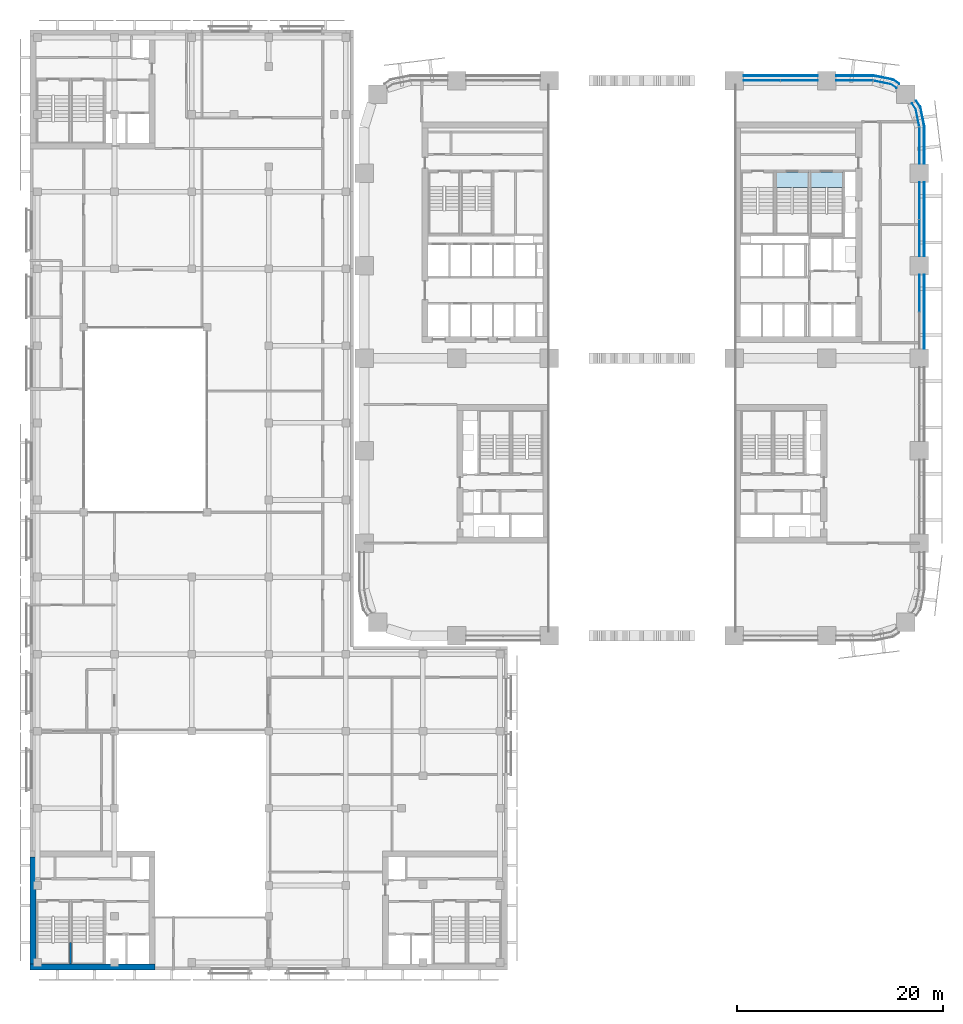
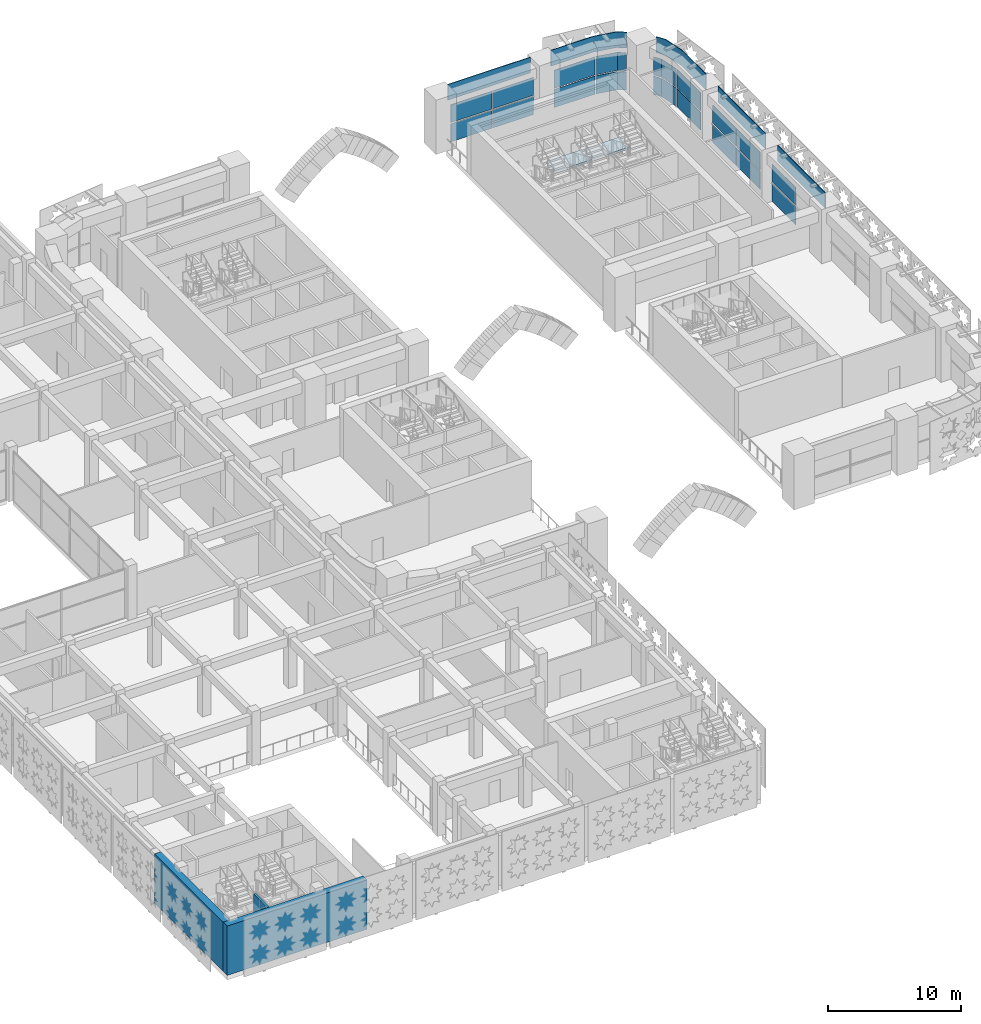
# One storey, part 13 of 40: 23 plates, 3 walls, 2 slabs, 7 elements without a shape of their own.
"""IFC4 building model written with IfcOpenShell, lengths in metres."""

from ifc_helpers import new_model, si_unit, direction, frame, frame_2d, origin, origin_2d, place, context, subcontext, project, spatial, polyline, rectangle, outline, extrude, material, layer, layer_set, type_object, element, aggregate, save


model = new_model("IFC4")

# Units and contexts
model_context = context("Model", 3, precision=1e-05, world=origin(), true_north=direction((0.0, 1.0)))
body_context = subcontext(model_context, "Body", "Model", "MODEL_VIEW")
ifc_project = project(units=[si_unit("LENGTHUNIT", "METRE"), si_unit("AREAUNIT", "SQUARE_METRE"), si_unit("VOLUMEUNIT", "CUBIC_METRE"), si_unit("PLANEANGLEUNIT", "RADIAN"), si_unit("MASSUNIT", "GRAM", prefix="KILO")], contexts=[model_context])

# Site, building, storey
site_placement = place(None, origin())
site = spatial("IfcSite", under=ifc_project, at=site_placement, CompositionType="ELEMENT")
building_placement = place(site_placement, origin())
building = spatial("IfcBuilding", under=site, at=building_placement, Name="Tessera Arch", CompositionType="ELEMENT")
storey_placement = place(building_placement, frame((0.0, 0.0, 21.0)))
storey = spatial("IfcBuildingStorey", under=building, at=storey_placement, Name="L03", CompositionType="ELEMENT", Elevation=21.0)

# Curtain wall, plates
ifc_material_1 = material(Name="CW2 curtain wall")
curtain_wall_type_1 = type_object("IfcCurtainWallType", Name="CW2 curtain wall", PredefinedType="NOTDEFINED", material=ifc_material_1)
curtain_wall_1_placement = place(storey_placement, origin())
curtain_wall_1 = element("IfcCurtainWall", 1, at=curtain_wall_1_placement, inside=storey, type_object=curtain_wall_type_1, Name="CW2 curtain wall E54.0/4 L03", PredefinedType="NOTDEFINED")
ifc_material_2 = material(Name="Clear low-e glass", Category="glass")
ifc_layer_1 = layer(ifc_material_2, 0.028076171875)
ifc_layer_set_1 = layer_set([ifc_layer_1], Name="CW2 glass panel")
plate_type_1 = type_object("IfcPlateType", Name="CW2 glass panel", PredefinedType="CURTAIN_PANEL", material=ifc_layer_set_1)
plate_1_placement = place(storey_placement, frame((54.0, 47.679931640625, 0.0), z_axis=(0.0, 0.0, 1.0), x_axis=(0.0, 1.0, 0.0)))
plate_1 = element("IfcPlate", 2, at=plate_1_placement, type_object=plate_type_1, Name="CW2 glass panel E54.0/4 1.1", PredefinedType="CURTAIN_PANEL", context=body_context, shape_type="SweptSolid", body=[
    extrude(rectangle(XDim=3.56005859375, YDim=0.028076171875, at=origin_2d()), origin(), (0.0, 0.0, 1.0), 1.675048828125),
])
plate_2_placement = place(storey_placement, origin())
plate_2 = element("IfcPlate", 3, at=plate_2_placement, type_object=plate_type_1, Name="CW2 curved glass panel E54.0/4 2.1", PredefinedType="CURTAIN_PANEL", context=body_context, shape_type="SweptSolid", body=[
    extrude(outline(polyline([(53.644287109375, 51.216552734375), (53.978515625, 49.53662109375), (54.005859375, 49.5419921875), (53.670654296875, 51.2275390625), (53.294921875, 51.789794921875), (53.271728515625, 51.774169921875), (53.644287109375, 51.216552734375)])), origin(), (0.0, 0.0, 1.0), 1.675048828125),
])
plate_3_placement = place(storey_placement, frame((54.0, 47.679931640625, 1.77490234375), z_axis=(0.0, 0.0, 1.0), x_axis=(0.0, 1.0, 0.0)))
plate_3 = element("IfcPlate", 4, at=plate_3_placement, type_object=plate_type_1, Name="CW2 glass panel E54.0/4 1.2", PredefinedType="CURTAIN_PANEL", context=body_context, shape_type="SweptSolid", body=[
    extrude(rectangle(XDim=3.56005859375, YDim=0.028076171875, at=origin_2d()), origin(), (0.0, 0.0, 1.0), 1.675048828125),
])
plate_4_placement = place(storey_placement, frame((0.0, 0.0, 1.77490234375)))
plate_4 = element("IfcPlate", 5, at=plate_4_placement, type_object=plate_type_1, Name="CW2 curved glass panel E54.0/4 2.2", PredefinedType="CURTAIN_PANEL", context=body_context, shape_type="SweptSolid", body=[
    extrude(outline(polyline([(53.644287109375, 51.216552734375), (53.978515625, 49.53662109375), (54.005859375, 49.5419921875), (53.670654296875, 51.2275390625), (53.294921875, 51.789794921875), (53.271728515625, 51.774169921875), (53.644287109375, 51.216552734375)])), origin(), (0.0, 0.0, 1.0), 1.675048828125),
])

curtain_wall_2_placement = place(storey_placement, origin())
curtain_wall_2 = element("IfcCurtainWall", 6, at=curtain_wall_2_placement, inside=storey, type_object=curtain_wall_type_1, Name="CW2 curtain wall N54.36/0 L03", PredefinedType="NOTDEFINED")
plate_5_placement = place(storey_placement, frame((47.679931640625, 54.0, 0.0), z_axis=(0.0, 0.0, 1.0), x_axis=(-1.0, 0.0, 0.0)))
plate_5 = element("IfcPlate", 7, at=plate_5_placement, type_object=plate_type_1, Name="CW2 glass panel N54.36/0 1.1", PredefinedType="CURTAIN_PANEL", context=body_context, shape_type="SweptSolid", body=[
    extrude(rectangle(XDim=3.56005859375, YDim=0.028076171875, at=origin_2d()), origin(), (0.0, 0.0, 1.0), 1.675048828125),
])
plate_6_placement = place(storey_placement, origin())
plate_6 = element("IfcPlate", 8, at=plate_6_placement, type_object=plate_type_1, Name="CW2 curved glass panel N54.36/0 2.1", PredefinedType="CURTAIN_PANEL", context=body_context, shape_type="SweptSolid", body=[
    extrude(outline(polyline([(51.216552734375, 53.644287109375), (51.774169921875, 53.271728515625), (51.789794921875, 53.294921875), (51.2275390625, 53.670654296875), (49.5419921875, 54.005859375), (49.53662109375, 53.978515625), (51.216552734375, 53.644287109375)])), origin(), (0.0, 0.0, 1.0), 1.675048828125),
])
plate_7_placement = place(storey_placement, frame((47.679931640625, 54.0, 1.77490234375), z_axis=(0.0, 0.0, 1.0), x_axis=(-1.0, 0.0, 0.0)))
plate_7 = element("IfcPlate", 9, at=plate_7_placement, type_object=plate_type_1, Name="CW2 glass panel N54.36/0 1.2", PredefinedType="CURTAIN_PANEL", context=body_context, shape_type="SweptSolid", body=[
    extrude(rectangle(XDim=3.56005859375, YDim=0.028076171875, at=origin_2d()), origin(), (0.0, 0.0, 1.0), 1.675048828125),
])
plate_8_placement = place(storey_placement, frame((0.0, 0.0, 1.77490234375)))
plate_8 = element("IfcPlate", 10, at=plate_8_placement, type_object=plate_type_1, Name="CW2 curved glass panel N54.36/0 2.2", PredefinedType="CURTAIN_PANEL", context=body_context, shape_type="SweptSolid", body=[
    extrude(outline(polyline([(51.216552734375, 53.644287109375), (51.774169921875, 53.271728515625), (51.789794921875, 53.294921875), (51.2275390625, 53.670654296875), (49.5419921875, 54.005859375), (49.53662109375, 53.978515625), (51.216552734375, 53.644287109375)])), origin(), (0.0, 0.0, 1.0), 1.675048828125),
])

# Plate
ifc_material_3 = material(Name="Pale anodised aluminium panel", Category="aluminium")
ifc_layer_2 = layer(ifc_material_3, 0.06005859375)
ifc_layer_set_2 = layer_set([ifc_layer_2], Name="CW2 spandrel panel")
plate_type_2 = type_object("IfcPlateType", Name="CW2 spandrel panel", PredefinedType="CURTAIN_PANEL", material=ifc_layer_set_2)
plate_9_placement = place(storey_placement, frame((0.0, 0.0, 3.550048828125)))
plate_9 = element("IfcPlate", 11, at=plate_9_placement, type_object=plate_type_2, Name="CW2 spandrel panel E54.0/4", PredefinedType="CURTAIN_PANEL", context=body_context, shape_type="SweptSolid", body=[
    extrude(outline(polyline([(54.449951171875, 49.499267578125), (54.449951171875, 45.89990234375), (54.510009765625, 45.89990234375), (54.510009765625, 49.500732421875), (54.507568359375, 49.550048828125), (54.500244140625, 49.598876953125), (54.157470703125, 51.322265625), (54.1455078125, 51.3701171875), (54.128662109375, 51.417236328125), (54.107177734375, 51.462646484375), (54.08203125, 51.5048828125), (53.707275390625, 52.0654296875), (53.657470703125, 52.031982421875), (54.03125, 51.47265625), (54.05419921875, 51.434326171875), (54.0732421875, 51.394287109375), (54.088134765625, 51.352783203125), (54.09912109375, 51.30908203125), (54.441162109375, 49.588623046875), (54.44775390625, 49.544189453125), (54.449951171875, 49.499267578125)])), origin(), (0.0, 0.0, 1.0), 1.449951171875),
])

aggregate(curtain_wall_1, [plate_1, plate_2, plate_3, plate_4, plate_9])

plate_10_placement = place(storey_placement, frame((0.0, 0.0, 3.550048828125)))
plate_10 = element("IfcPlate", 12, at=plate_10_placement, type_object=plate_type_2, Name="CW2 spandrel panel N54.36/0", PredefinedType="CURTAIN_PANEL", context=body_context, shape_type="SweptSolid", body=[
    extrude(outline(polyline([(51.47265625, 54.03125), (52.031982421875, 53.657470703125), (52.0654296875, 53.707275390625), (51.5048828125, 54.08203125), (51.462646484375, 54.107177734375), (51.417236328125, 54.128662109375), (51.3701171875, 54.1455078125), (51.322265625, 54.157470703125), (49.598876953125, 54.500244140625), (49.550048828125, 54.507568359375), (49.500732421875, 54.510009765625), (45.89990234375, 54.510009765625), (45.89990234375, 54.449951171875), (49.499267578125, 54.449951171875), (49.544189453125, 54.44775390625), (49.588623046875, 54.441162109375), (51.30908203125, 54.09912109375), (51.352783203125, 54.088134765625), (51.394287109375, 54.0732421875), (51.434326171875, 54.05419921875), (51.47265625, 54.03125)])), origin(), (0.0, 0.0, 1.0), 1.449951171875),
])

aggregate(curtain_wall_2, [plate_5, plate_6, plate_7, plate_8, plate_10])

# Curtain wall, plates
ifc_material_4 = material(Name="CW6 curtain wall")
curtain_wall_type_2 = type_object("IfcCurtainWallType", Name="CW6 curtain wall", PredefinedType="NOTDEFINED", material=ifc_material_4)
curtain_wall_3_placement = place(storey_placement, origin())
curtain_wall_3 = element("IfcCurtainWall", 13, at=curtain_wall_3_placement, inside=storey, type_object=curtain_wall_type_2, Name="CW6 curtain wall E54.0/2 L03", PredefinedType="NOTDEFINED")
ifc_material_5 = material(Name="Clear low-e glass", Category="glass")
ifc_layer_3 = layer(ifc_material_5, 0.028076171875)
ifc_layer_set_3 = layer_set([ifc_layer_3], Name="CW6 glass panel")
plate_type_3 = type_object("IfcPlateType", Name="CW6 glass panel", PredefinedType="CURTAIN_PANEL", material=ifc_layer_set_3)
plate_11_placement = place(storey_placement, frame((54.0, 33.3173828125, 0.0), z_axis=(0.0, 0.0, 1.0), x_axis=(0.0, 1.0, 0.0)))
plate_11 = element("IfcPlate", 14, at=plate_11_placement, type_object=plate_type_3, Name="CW6 glass panel E54.0/2 1.2.1", PredefinedType="CURTAIN_PANEL", context=body_context, shape_type="SweptSolid", body=[
    extrude(rectangle(XDim=3.56494140625, YDim=0.028076171875, at=origin_2d()), origin(), (0.0, 0.0, 1.0), 1.655029296875),
])
plate_12_placement = place(storey_placement, frame((54.0, 33.3173828125, 1.77490234375), z_axis=(0.0, 0.0, 1.0), x_axis=(0.0, 1.0, 0.0)))
plate_12 = element("IfcPlate", 15, at=plate_12_placement, type_object=plate_type_3, Name="CW6 glass panel E54.0/2 1.2.2", PredefinedType="CURTAIN_PANEL", context=body_context, shape_type="SweptSolid", body=[
    extrude(rectangle(XDim=3.56494140625, YDim=0.028076171875, at=origin_2d()), origin(), (0.0, 0.0, 1.0), 1.655029296875),
])

curtain_wall_4_placement = place(storey_placement, origin())
curtain_wall_4 = element("IfcCurtainWall", 16, at=curtain_wall_4_placement, inside=storey, type_object=curtain_wall_type_2, Name="CW6 curtain wall E54.0/3 L03", PredefinedType="NOTDEFINED")
plate_13_placement = place(storey_placement, frame((54.0, 38.6826171875, 0.0), z_axis=(0.0, 0.0, 1.0), x_axis=(0.0, 1.0, 0.0)))
plate_13 = element("IfcPlate", 17, at=plate_13_placement, type_object=plate_type_3, Name="CW6 glass panel E54.0/3 1.1.1", PredefinedType="CURTAIN_PANEL", context=body_context, shape_type="SweptSolid", body=[
    extrude(rectangle(XDim=3.56494140625, YDim=0.028076171875, at=origin_2d()), origin(), (0.0, 0.0, 1.0), 1.655029296875),
])
plate_14_placement = place(storey_placement, frame((54.0, 38.6826171875, 1.77490234375), z_axis=(0.0, 0.0, 1.0), x_axis=(0.0, 1.0, 0.0)))
plate_14 = element("IfcPlate", 18, at=plate_14_placement, type_object=plate_type_3, Name="CW6 glass panel E54.0/3 1.1.2", PredefinedType="CURTAIN_PANEL", context=body_context, shape_type="SweptSolid", body=[
    extrude(rectangle(XDim=3.56494140625, YDim=0.028076171875, at=origin_2d()), origin(), (0.0, 0.0, 1.0), 1.655029296875),
])
plate_15_placement = place(storey_placement, frame((54.0, 42.3173828125, 0.0), z_axis=(0.0, 0.0, 1.0), x_axis=(0.0, 1.0, 0.0)))
plate_15 = element("IfcPlate", 19, at=plate_15_placement, type_object=plate_type_3, Name="CW6 glass panel E54.0/3 1.2.1", PredefinedType="CURTAIN_PANEL", context=body_context, shape_type="SweptSolid", body=[
    extrude(rectangle(XDim=3.56494140625, YDim=0.028076171875, at=origin_2d()), origin(), (0.0, 0.0, 1.0), 1.655029296875),
])
plate_16_placement = place(storey_placement, frame((54.0, 42.3173828125, 1.77490234375), z_axis=(0.0, 0.0, 1.0), x_axis=(0.0, 1.0, 0.0)))
plate_16 = element("IfcPlate", 20, at=plate_16_placement, type_object=plate_type_3, Name="CW6 glass panel E54.0/3 1.2.2", PredefinedType="CURTAIN_PANEL", context=body_context, shape_type="SweptSolid", body=[
    extrude(rectangle(XDim=3.56494140625, YDim=0.028076171875, at=origin_2d()), origin(), (0.0, 0.0, 1.0), 1.655029296875),
])

curtain_wall_5_placement = place(storey_placement, origin())
curtain_wall_5 = element("IfcCurtainWall", 21, at=curtain_wall_5_placement, inside=storey, type_object=curtain_wall_type_2, Name="CW6 curtain wall N54.36/1 L03", PredefinedType="NOTDEFINED")
plate_17_placement = place(storey_placement, frame((42.3173828125, 54.0, 0.0), z_axis=(0.0, 0.0, 1.0), x_axis=(-1.0, 0.0, 0.0)))
plate_17 = element("IfcPlate", 22, at=plate_17_placement, type_object=plate_type_3, Name="CW6 glass panel N54.36/1 1.1.1", PredefinedType="CURTAIN_PANEL", context=body_context, shape_type="SweptSolid", body=[
    extrude(rectangle(XDim=3.56494140625, YDim=0.028076171875, at=origin_2d()), origin(), (0.0, 0.0, 1.0), 1.655029296875),
])
plate_18_placement = place(storey_placement, frame((42.3173828125, 54.0, 1.77490234375), z_axis=(0.0, 0.0, 1.0), x_axis=(-1.0, 0.0, 0.0)))
plate_18 = element("IfcPlate", 23, at=plate_18_placement, type_object=plate_type_3, Name="CW6 glass panel N54.36/1 1.1.2", PredefinedType="CURTAIN_PANEL", context=body_context, shape_type="SweptSolid", body=[
    extrude(rectangle(XDim=3.56494140625, YDim=0.028076171875, at=origin_2d()), origin(), (0.0, 0.0, 1.0), 1.655029296875),
])
plate_19_placement = place(storey_placement, frame((38.6826171875, 54.0, 0.0), z_axis=(0.0, 0.0, 1.0), x_axis=(-1.0, 0.0, 0.0)))
plate_19 = element("IfcPlate", 24, at=plate_19_placement, type_object=plate_type_3, Name="CW6 glass panel N54.36/1 1.2.1", PredefinedType="CURTAIN_PANEL", context=body_context, shape_type="SweptSolid", body=[
    extrude(rectangle(XDim=3.56494140625, YDim=0.028076171875, at=origin_2d()), origin(), (0.0, 0.0, 1.0), 1.655029296875),
])
plate_20_placement = place(storey_placement, frame((38.6826171875, 54.0, 1.77490234375), z_axis=(0.0, 0.0, 1.0), x_axis=(-1.0, 0.0, 0.0)))
plate_20 = element("IfcPlate", 25, at=plate_20_placement, type_object=plate_type_3, Name="CW6 glass panel N54.36/1 1.2.2", PredefinedType="CURTAIN_PANEL", context=body_context, shape_type="SweptSolid", body=[
    extrude(rectangle(XDim=3.56494140625, YDim=0.028076171875, at=origin_2d()), origin(), (0.0, 0.0, 1.0), 1.655029296875),
])

# Plate
ifc_material_6 = material(Name="Pale anodised aluminium panel", Category="aluminium")
ifc_layer_4 = layer(ifc_material_6, 0.06005859375)
ifc_layer_set_4 = layer_set([ifc_layer_4], Name="CW6 spandrel panel")
plate_type_4 = type_object("IfcPlateType", Name="CW6 spandrel panel", PredefinedType="CURTAIN_PANEL", material=ifc_layer_set_4)
plate_21_placement = place(storey_placement, frame((54.47998046875, 31.5, 3.5498046875), z_axis=(0.0, 0.0, 1.0), x_axis=(0.0, 1.0, 0.0)))
plate_21 = element("IfcPlate", 26, at=plate_21_placement, type_object=plate_type_4, Name="CW6 spandrel panel E54.0/2", PredefinedType="CURTAIN_PANEL", context=body_context, shape_type="SweptSolid", body=[
    extrude(rectangle(XDim=7.199951171875, YDim=0.06005859375, at=origin_2d()), origin(), (0.0, 0.0, 1.0), 1.449951171875),
])

aggregate(curtain_wall_3, [plate_11, plate_12, plate_21])

plate_22_placement = place(storey_placement, frame((54.47998046875, 40.5, 3.5498046875), z_axis=(0.0, 0.0, 1.0), x_axis=(0.0, 1.0, 0.0)))
plate_22 = element("IfcPlate", 27, at=plate_22_placement, type_object=plate_type_4, Name="CW6 spandrel panel E54.0/3", PredefinedType="CURTAIN_PANEL", context=body_context, shape_type="SweptSolid", body=[
    extrude(rectangle(XDim=7.199951171875, YDim=0.06005859375, at=origin_2d()), origin(), (0.0, 0.0, 1.0), 1.449951171875),
])

aggregate(curtain_wall_4, [plate_13, plate_14, plate_15, plate_16, plate_22])

plate_23_placement = place(storey_placement, frame((40.5, 54.47998046875, 3.5498046875), z_axis=(0.0, 0.0, 1.0), x_axis=(-1.0, 0.0, 0.0)))
plate_23 = element("IfcPlate", 28, at=plate_23_placement, type_object=plate_type_4, Name="CW6 spandrel panel N54.36/1", PredefinedType="CURTAIN_PANEL", context=body_context, shape_type="SweptSolid", body=[
    extrude(rectangle(XDim=7.199951171875, YDim=0.06005859375, at=origin_2d()), origin(), (0.0, 0.0, 1.0), 1.449951171875),
])

aggregate(curtain_wall_5, [plate_17, plate_18, plate_19, plate_20, plate_23])

# Stair, slab
ifc_material_7 = material(Name="Concrete C40/50", Category="concrete")
stair_type = type_object("IfcStairType", Name="Dogleg stair 1520", PredefinedType="HALF_TURN_STAIR", material=ifc_material_7)
stair_1_placement = place(storey_placement, origin())
stair_1 = element("IfcStair", 29, at=stair_1_placement, inside=storey, type_object=stair_type, Name="L03 S1b", PredefinedType="HALF_TURN_STAIR")
ifc_material_8 = material(Name="Concrete C40/50", Category="concrete")
ifc_layer_5 = layer(ifc_material_8, 0.300048828125)
ifc_layer_set_5 = layer_set([ifc_layer_5], Name="Stair landing 300")
slab_type = type_object("IfcSlabType", Name="Stair landing 300", PredefinedType="LANDING", material=ifc_layer_set_5)
slab_1_placement = place(storey_placement, frame((0.0, 0.0, 2.300048828125)))
slab_1 = element("IfcSlab", 30, at=slab_1_placement, type_object=slab_type, Name="S1b landing 2", PredefinedType="LANDING", context=body_context, shape_type="SweptSolid", body=[
    extrude(outline(polyline([(40.050048828125, 45.10009765625), (40.050048828125, 43.580078125), (43.199951171875, 43.580078125), (43.199951171875, 45.10009765625), (40.050048828125, 45.10009765625)])), origin(), (0.0, 0.0, 1.0), 0.199951171875),
])
aggregate(stair_1, [slab_1])

stair_2_placement = place(storey_placement, origin())
stair_2 = element("IfcStair", 31, at=stair_2_placement, inside=storey, type_object=stair_type, Name="L03 S1c", PredefinedType="HALF_TURN_STAIR")
slab_2_placement = place(storey_placement, frame((0.0, 0.0, 2.300048828125)))
slab_2 = element("IfcSlab", 32, at=slab_2_placement, type_object=slab_type, Name="S1c landing 2", PredefinedType="LANDING", context=body_context, shape_type="SweptSolid", body=[
    extrude(outline(polyline([(43.39990234375, 45.10009765625), (43.39990234375, 43.580078125), (46.550048828125, 43.580078125), (46.550048828125, 45.10009765625), (43.39990234375, 45.10009765625)])), origin(), (0.0, 0.0, 1.0), 0.199951171875),
])
aggregate(stair_2, [slab_2])

# Walls
ifc_material_9 = material(Name="Concrete C70/85", Category="concrete")
ifc_layer_6 = layer(ifc_material_9, 0.60009765625)
ifc_layer_set_6 = layer_set([ifc_layer_6], Name="Core shell wall 600 C70-85")
wall_type_1 = type_object("IfcWallType", Name="Core shell wall 600 C70-85", PredefinedType="SHEAR", material=ifc_layer_set_6)
wall_1_placement = place(storey_placement, frame((-32.550048828125, -32.25, 0.0), z_axis=(0.0, 0.0, 1.0), x_axis=(1.0, 0.0, 0.0)))
element("IfcWall", 33, at=wall_1_placement, inside=storey, type_object=wall_type_1, Name="L03 M2 core wall S", PredefinedType="SHEAR", context=body_context, shape_type="SweptSolid", body=[
    extrude(rectangle(XDim=12.199951171875, YDim=0.60009765625, at=frame_2d((6.10009765625, 0.0))), origin(), (0.0, 0.0, 1.0), 4.550048828125),
])
wall_2_placement = place(storey_placement, frame((-32.25, -31.949951171875, 0.0), z_axis=(0.0, 0.0, 1.0), x_axis=(0.0, 1.0, 0.0)))
element("IfcWall", 34, at=wall_2_placement, inside=storey, type_object=wall_type_1, Name="L03 M2 core wall W", PredefinedType="SHEAR", context=body_context, shape_type="SweptSolid", body=[
    extrude(rectangle(XDim=10.39990234375, YDim=0.60009765625, at=frame_2d((5.199951171875, 0.0))), origin(), (0.0, 0.0, 1.0), 4.550048828125),
])
ifc_material_10 = material(Name="Concrete C40/50", Category="concrete")
ifc_layer_7 = layer(ifc_material_10, 0.199951171875)
ifc_layer_set_7 = layer_set([ifc_layer_7], Name="Stair well wall 200 REI 180")
wall_type_2 = type_object("IfcWallType", Name="Stair well wall 200 REI 180", PredefinedType="SOLIDWALL", material=ifc_layer_set_7)
wall_3_placement = place(storey_placement, frame((-28.60009765625, -31.949951171875, 0.0), z_axis=(0.0, 0.0, 1.0), x_axis=(0.0, 1.0, 0.0)))
element("IfcWall", 35, at=wall_3_placement, inside=storey, type_object=wall_type_2, Name="L03 M2 shaft wall 2", PredefinedType="SOLIDWALL", context=body_context, shape_type="SweptSolid", body=[
    extrude(rectangle(XDim=2.079833984375, YDim=0.199951171875, at=frame_2d((1.0400390625, 0.0))), origin(), (0.0, 0.0, 1.0), 4.550048828125),
])

save(model, "model.ifc")
